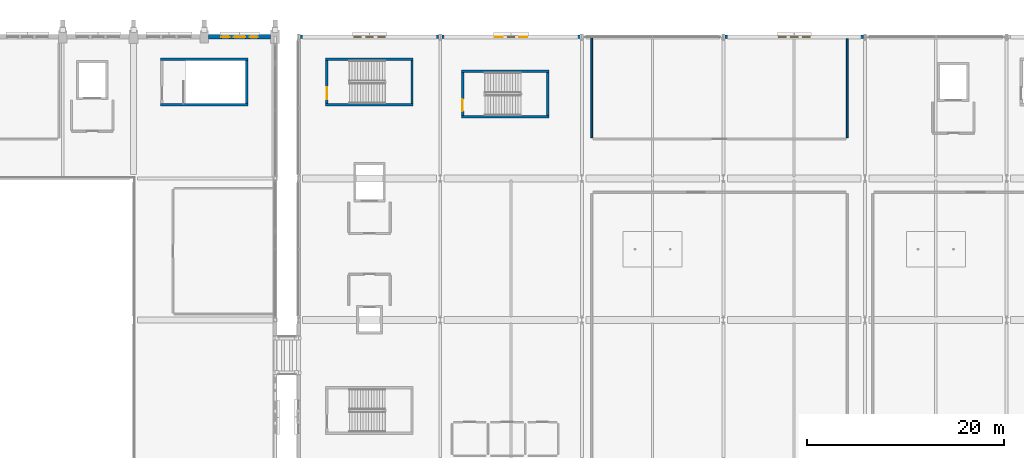
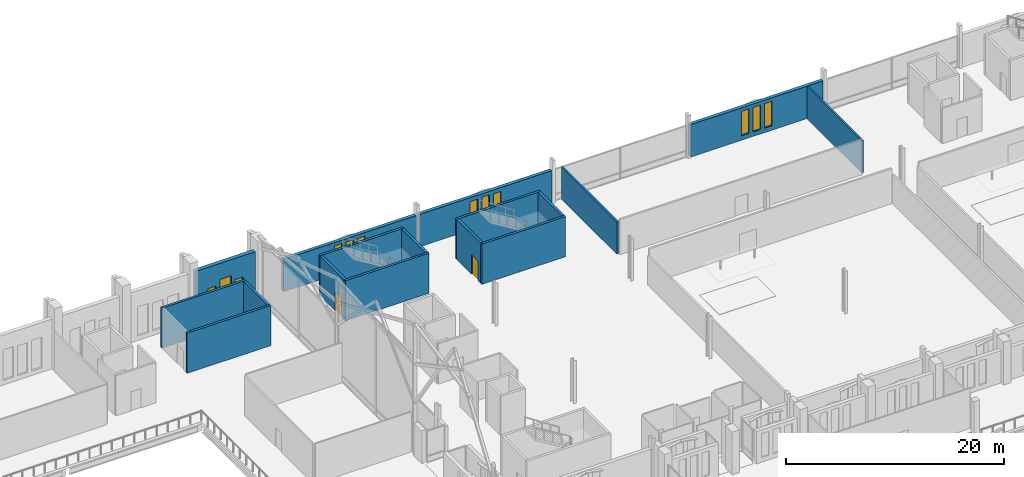
# One storey, part 171 of 220: 17 walls, 12 windows, 2 doors, 14 openings.
"""IFC4 building model written with IfcOpenShell, lengths in metres."""

from ifc_helpers import new_model, si_unit, direction, frame, frame_2d, origin, place, context, subcontext, project, spatial, rectangle, extrude, material, layer, layer_set, type_object, element, fill, save


model = new_model("IFC4")

# Units and contexts
model_context = context("Model", 3, precision=1e-05, world=origin(), true_north=direction((0.0, 1.0)))
body_context = subcontext(model_context, "Body", "Model", "MODEL_VIEW")
ifc_project = project(units=[si_unit("LENGTHUNIT", "METRE"), si_unit("AREAUNIT", "SQUARE_METRE"), si_unit("VOLUMEUNIT", "CUBIC_METRE"), si_unit("PLANEANGLEUNIT", "RADIAN"), si_unit("MASSUNIT", "GRAM", prefix="KILO")], contexts=[model_context])

# Site, building, storey
site_placement = place(None, origin())
site = spatial("IfcSite", under=ifc_project, at=site_placement, CompositionType="ELEMENT")
building_placement = place(site_placement, origin())
building = spatial("IfcBuilding", under=site, at=building_placement, Name="Cendralis Lancet Convention Centre", CompositionType="ELEMENT")
storey_placement = place(building_placement, frame((0.0, 0.0, 5.39990234375)))
storey = spatial("IfcBuildingStorey", under=building, at=storey_placement, Name="L01", CompositionType="ELEMENT", Elevation=5.39990234375)

# Wall, openings, windows
ifc_material_1 = material(Name="Buff sandstone ashlar and Concrete G40 (C40/50)", Category="masonry")
ifc_layer_1 = layer(ifc_material_1, 0.360107421875, Name="Buff sandstone ashlar and Concrete G40 (C40/50)")
ifc_layer_set_1 = layer_set([ifc_layer_1], Name="Buff sandstone ashlar and Concrete G40 (C40/50)")
wall_type_1 = type_object("IfcWallType", Name="ARC-EW-W360", PredefinedType="STANDARD", material=ifc_layer_set_1)
wall_1_placement = place(storey_placement, frame((124.9580078125, 136.800048828125, 0.0), z_axis=(0.0, 0.0, 1.0), x_axis=(1.0, 0.0, 0.0)))
wall_1 = element("IfcWall", 1, at=wall_1_placement, inside=storey, type_object=wall_type_1, Name="L01 V3 Exterior Wall EW-04 #0145", PredefinedType="STANDARD", context=body_context, shape_type="SweptSolid", body=[
    extrude(rectangle(XDim=14.083984375, YDim=0.360107421875, at=frame_2d((7.0419921875, 0.0))), origin(), (0.0, 0.0, 1.0), 3.635009765625),
])
opening_1_placement = place(wall_1_placement, frame((5.422119140625, 0.0, 0.5)))
opening_1 = element("IfcOpeningElement", 2, at=opening_1_placement, cuts=wall_1, Name="Opening WN-07", PredefinedType="OPENING", context=body_context, shape_type="SweptSolid", body=[
    extrude(rectangle(XDim=0.800048828125, YDim=2.75, at=frame_2d((0.39990234375, 1.375))), frame((0.0, 0.18994140625, 0.0), z_axis=(0.0, -1.0, 0.0), x_axis=(1.0, 0.0, 0.0)), (0.0, 0.0, 1.0), 0.380126953125),
])
opening_2_placement = place(wall_1_placement, frame((6.64208984375, 0.0, 0.5)))
opening_2 = element("IfcOpeningElement", 3, at=opening_2_placement, cuts=wall_1, Name="Opening WN-07", PredefinedType="OPENING", context=body_context, shape_type="SweptSolid", body=[
    extrude(rectangle(XDim=0.800048828125, YDim=2.75, at=frame_2d((0.39990234375, 1.375))), frame((0.0, 0.18994140625, 0.0), z_axis=(0.0, -1.0, 0.0), x_axis=(1.0, 0.0, 0.0)), (0.0, 0.0, 1.0), 0.380126953125),
])
opening_3_placement = place(wall_1_placement, frame((7.862060546875, 0.0, 0.5)))
opening_3 = element("IfcOpeningElement", 4, at=opening_3_placement, cuts=wall_1, Name="Opening WN-07", PredefinedType="OPENING", context=body_context, shape_type="SweptSolid", body=[
    extrude(rectangle(XDim=0.800048828125, YDim=2.75, at=frame_2d((0.39990234375, 1.375))), frame((0.0, 0.18994140625, 0.0), z_axis=(0.0, -1.0, 0.0), x_axis=(1.0, 0.0, 0.0)), (0.0, 0.0, 1.0), 0.380126953125),
])
ifc_material_2 = material(Name="Double-glazed low-E solar-control glass", Category="glass")
window_type_1 = type_object("IfcWindowType", Name="ARC-WN-LW07", PartitioningType="SINGLE_PANEL", PredefinedType="WINDOW", material=ifc_material_2)
window_1_placement = place(opening_1_placement, origin())
window_1 = element("IfcWindow", 5, at=window_1_placement, inside=storey, type_object=window_type_1, Name="Gothic Lancet Window WN-07 #0272", OverallHeight=2.75, OverallWidth=0.800048828125, PartitioningType="SINGLE_PANEL", PredefinedType="WINDOW", context=body_context, shape_type="SweptSolid", body=[
    extrude(rectangle(XDim=0.800048828125, YDim=2.75, at=frame_2d((0.39990234375, 1.375))), frame((0.0, 0.030029296875, 0.0), z_axis=(0.0, -1.0, 0.0), x_axis=(1.0, 0.0, 0.0)), (0.0, 0.0, 1.0), 0.06005859375),
])
fill(opening_1, window_1)
window_2_placement = place(opening_2_placement, origin())
window_2 = element("IfcWindow", 6, at=window_2_placement, inside=storey, type_object=window_type_1, Name="Gothic Lancet Window WN-07 #0273", OverallHeight=2.75, OverallWidth=0.800048828125, PartitioningType="SINGLE_PANEL", PredefinedType="WINDOW", context=body_context, shape_type="SweptSolid", body=[
    extrude(rectangle(XDim=0.800048828125, YDim=2.75, at=frame_2d((0.39990234375, 1.375))), frame((0.0, 0.030029296875, 0.0), z_axis=(0.0, -1.0, 0.0), x_axis=(1.0, 0.0, 0.0)), (0.0, 0.0, 1.0), 0.06005859375),
])
fill(opening_2, window_2)
window_3_placement = place(opening_3_placement, origin())
window_3 = element("IfcWindow", 7, at=window_3_placement, inside=storey, type_object=window_type_1, Name="Gothic Lancet Window WN-07 #0274", OverallHeight=2.75, OverallWidth=0.800048828125, PartitioningType="SINGLE_PANEL", PredefinedType="WINDOW", context=body_context, shape_type="SweptSolid", body=[
    extrude(rectangle(XDim=0.800048828125, YDim=2.75, at=frame_2d((0.39990234375, 1.375))), frame((0.0, 0.030029296875, 0.0), z_axis=(0.0, -1.0, 0.0), x_axis=(1.0, 0.0, 0.0)), (0.0, 0.0, 1.0), 0.06005859375),
])
fill(opening_3, window_3)

wall_2_placement = place(storey_placement, frame((139.35791015625, 136.800048828125, 0.0), z_axis=(0.0, 0.0, 1.0), x_axis=(1.0, 0.0, 0.0)))
wall_2 = element("IfcWall", 8, at=wall_2_placement, inside=storey, type_object=wall_type_1, Name="L01 V3 Exterior Wall EW-04 #0146", PredefinedType="STANDARD", context=body_context, shape_type="SweptSolid", body=[
    extrude(rectangle(XDim=14.083984375, YDim=0.360107421875, at=frame_2d((7.0419921875, 0.0))), origin(), (0.0, 0.0, 1.0), 3.635009765625),
])
opening_4_placement = place(wall_2_placement, frame((5.382080078125, 0.0, 0.5)))
opening_4 = element("IfcOpeningElement", 9, at=opening_4_placement, cuts=wall_2, Name="Opening WN-15", PredefinedType="OPENING", context=body_context, shape_type="SweptSolid", body=[
    extrude(rectangle(XDim=0.840087890625, YDim=2.699951171875, at=frame_2d((0.419921875, 1.35009765625))), frame((0.0, 0.18994140625, 0.0), z_axis=(0.0, -1.0, 0.0), x_axis=(1.0, 0.0, 0.0)), (0.0, 0.0, 1.0), 0.380126953125),
])
opening_5_placement = place(wall_2_placement, frame((6.64208984375, 0.0, 0.5)))
opening_5 = element("IfcOpeningElement", 10, at=opening_5_placement, cuts=wall_2, Name="Opening WN-07", PredefinedType="OPENING", context=body_context, shape_type="SweptSolid", body=[
    extrude(rectangle(XDim=0.800048828125, YDim=2.75, at=frame_2d((0.39990234375, 1.375))), frame((0.0, 0.18994140625, 0.0), z_axis=(0.0, -1.0, 0.0), x_axis=(1.0, 0.0, 0.0)), (0.0, 0.0, 1.0), 0.380126953125),
])
opening_6_placement = place(wall_2_placement, frame((7.862060546875, 0.0, 0.5)))
opening_6 = element("IfcOpeningElement", 11, at=opening_6_placement, cuts=wall_2, Name="Opening WN-15", PredefinedType="OPENING", context=body_context, shape_type="SweptSolid", body=[
    extrude(rectangle(XDim=0.840087890625, YDim=2.699951171875, at=frame_2d((0.419921875, 1.35009765625))), frame((0.0, 0.18994140625, 0.0), z_axis=(0.0, -1.0, 0.0), x_axis=(1.0, 0.0, 0.0)), (0.0, 0.0, 1.0), 0.380126953125),
])
window_4_placement = place(opening_5_placement, origin())
window_4 = element("IfcWindow", 12, at=window_4_placement, inside=storey, type_object=window_type_1, Name="Gothic Lancet Window WN-07 #0276", OverallHeight=2.75, OverallWidth=0.800048828125, PartitioningType="SINGLE_PANEL", PredefinedType="WINDOW", context=body_context, shape_type="SweptSolid", body=[
    extrude(rectangle(XDim=0.800048828125, YDim=2.75, at=frame_2d((0.39990234375, 1.375))), frame((0.0, 0.030029296875, 0.0), z_axis=(0.0, -1.0, 0.0), x_axis=(1.0, 0.0, 0.0)), (0.0, 0.0, 1.0), 0.06005859375),
])
fill(opening_5, window_4)
window_type_2 = type_object("IfcWindowType", Name="ARC-WN-LW15", PartitioningType="SINGLE_PANEL", PredefinedType="WINDOW", material=ifc_material_2)
window_5_placement = place(opening_4_placement, origin())
window_5 = element("IfcWindow", 13, at=window_5_placement, inside=storey, type_object=window_type_2, Name="Gothic Lancet Window WN-15 #0275", OverallHeight=2.699951171875, OverallWidth=0.840087890625, PartitioningType="SINGLE_PANEL", PredefinedType="WINDOW", context=body_context, shape_type="SweptSolid", body=[
    extrude(rectangle(XDim=0.840087890625, YDim=2.699951171875, at=frame_2d((0.419921875, 1.35009765625))), frame((0.0, 0.030029296875, 0.0), z_axis=(0.0, -1.0, 0.0), x_axis=(1.0, 0.0, 0.0)), (0.0, 0.0, 1.0), 0.06005859375),
])
fill(opening_4, window_5)
window_6_placement = place(opening_6_placement, origin())
window_6 = element("IfcWindow", 14, at=window_6_placement, inside=storey, type_object=window_type_2, Name="Gothic Lancet Window WN-15 #0277", OverallHeight=2.699951171875, OverallWidth=0.840087890625, PartitioningType="SINGLE_PANEL", PredefinedType="WINDOW", context=body_context, shape_type="SweptSolid", body=[
    extrude(rectangle(XDim=0.840087890625, YDim=2.699951171875, at=frame_2d((0.419921875, 1.35009765625))), frame((0.0, 0.030029296875, 0.0), z_axis=(0.0, -1.0, 0.0), x_axis=(1.0, 0.0, 0.0)), (0.0, 0.0, 1.0), 0.06005859375),
])
fill(opening_6, window_6)

wall_3_placement = place(storey_placement, frame((168.157958984375, 136.800048828125, 0.0), z_axis=(0.0, 0.0, 1.0), x_axis=(1.0, 0.0, 0.0)))
wall_3 = element("IfcWall", 15, at=wall_3_placement, inside=storey, type_object=wall_type_1, Name="L01 V3 Exterior Wall EW-04 #0147", PredefinedType="STANDARD", context=body_context, shape_type="SweptSolid", body=[
    extrude(rectangle(XDim=14.083984375, YDim=0.360107421875, at=frame_2d((7.0419921875, 0.0))), origin(), (0.0, 0.0, 1.0), 3.635009765625),
])
opening_7_placement = place(wall_3_placement, frame((5.422119140625, 0.0, 0.5)))
opening_7 = element("IfcOpeningElement", 16, at=opening_7_placement, cuts=wall_3, Name="Opening WN-07", PredefinedType="OPENING", context=body_context, shape_type="SweptSolid", body=[
    extrude(rectangle(XDim=0.800048828125, YDim=2.75, at=frame_2d((0.39990234375, 1.375))), frame((0.0, 0.18994140625, 0.0), z_axis=(0.0, -1.0, 0.0), x_axis=(1.0, 0.0, 0.0)), (0.0, 0.0, 1.0), 0.380126953125),
])
opening_8_placement = place(wall_3_placement, frame((6.64208984375, 0.0, 0.5)))
opening_8 = element("IfcOpeningElement", 17, at=opening_8_placement, cuts=wall_3, Name="Opening WN-07", PredefinedType="OPENING", context=body_context, shape_type="SweptSolid", body=[
    extrude(rectangle(XDim=0.800048828125, YDim=2.75, at=frame_2d((0.39990234375, 1.375))), frame((0.0, 0.18994140625, 0.0), z_axis=(0.0, -1.0, 0.0), x_axis=(1.0, 0.0, 0.0)), (0.0, 0.0, 1.0), 0.380126953125),
])
opening_9_placement = place(wall_3_placement, frame((7.862060546875, 0.0, 0.5)))
opening_9 = element("IfcOpeningElement", 18, at=opening_9_placement, cuts=wall_3, Name="Opening WN-07", PredefinedType="OPENING", context=body_context, shape_type="SweptSolid", body=[
    extrude(rectangle(XDim=0.800048828125, YDim=2.75, at=frame_2d((0.39990234375, 1.375))), frame((0.0, 0.18994140625, 0.0), z_axis=(0.0, -1.0, 0.0), x_axis=(1.0, 0.0, 0.0)), (0.0, 0.0, 1.0), 0.380126953125),
])
window_7_placement = place(opening_7_placement, origin())
window_7 = element("IfcWindow", 19, at=window_7_placement, inside=storey, type_object=window_type_1, Name="Gothic Lancet Window WN-07 #0278", OverallHeight=2.75, OverallWidth=0.800048828125, PartitioningType="SINGLE_PANEL", PredefinedType="WINDOW", context=body_context, shape_type="SweptSolid", body=[
    extrude(rectangle(XDim=0.800048828125, YDim=2.75, at=frame_2d((0.39990234375, 1.375))), frame((0.0, 0.030029296875, 0.0), z_axis=(0.0, -1.0, 0.0), x_axis=(1.0, 0.0, 0.0)), (0.0, 0.0, 1.0), 0.06005859375),
])
fill(opening_7, window_7)
window_8_placement = place(opening_8_placement, origin())
window_8 = element("IfcWindow", 20, at=window_8_placement, inside=storey, type_object=window_type_1, Name="Gothic Lancet Window WN-07 #0279", OverallHeight=2.75, OverallWidth=0.800048828125, PartitioningType="SINGLE_PANEL", PredefinedType="WINDOW", context=body_context, shape_type="SweptSolid", body=[
    extrude(rectangle(XDim=0.800048828125, YDim=2.75, at=frame_2d((0.39990234375, 1.375))), frame((0.0, 0.030029296875, 0.0), z_axis=(0.0, -1.0, 0.0), x_axis=(1.0, 0.0, 0.0)), (0.0, 0.0, 1.0), 0.06005859375),
])
fill(opening_8, window_8)
window_9_placement = place(opening_9_placement, origin())
window_9 = element("IfcWindow", 21, at=window_9_placement, inside=storey, type_object=window_type_1, Name="Gothic Lancet Window WN-07 #0280", OverallHeight=2.75, OverallWidth=0.800048828125, PartitioningType="SINGLE_PANEL", PredefinedType="WINDOW", context=body_context, shape_type="SweptSolid", body=[
    extrude(rectangle(XDim=0.800048828125, YDim=2.75, at=frame_2d((0.39990234375, 1.375))), frame((0.0, 0.030029296875, 0.0), z_axis=(0.0, -1.0, 0.0), x_axis=(1.0, 0.0, 0.0)), (0.0, 0.0, 1.0), 0.06005859375),
])
fill(opening_9, window_9)

ifc_layer_2 = layer(ifc_material_1, 0.419921875, Name="Buff sandstone ashlar and Concrete G40 (C40/50)")
ifc_layer_set_2 = layer_set([ifc_layer_2], Name="Buff sandstone ashlar and Concrete G40 (C40/50)")
wall_type_2 = type_object("IfcWallType", Name="ARC-EW-W420", PredefinedType="STANDARD", material=ifc_layer_set_2)
wall_4_placement = place(storey_placement, frame((115.633056640625, 136.800048828125, 0.0), z_axis=(0.0, 0.0, 1.0), x_axis=(1.0, 0.0, 0.0)))
wall_4 = element("IfcWall", 22, at=wall_4_placement, inside=storey, type_object=wall_type_2, Name="L01 V1 Exterior Wall EW-01 #0050", PredefinedType="STANDARD", context=body_context, shape_type="SweptSolid", body=[
    extrude(rectangle(XDim=6.308837890625, YDim=0.419921875, at=frame_2d((3.154296875, 0.0))), origin(), (0.0, 0.0, 1.0), 5.585205078125),
])
opening_10_placement = place(wall_4_placement, frame((1.29443359375, 0.0, 0.5)))
opening_10 = element("IfcOpeningElement", 23, at=opening_10_placement, cuts=wall_4, Name="Opening WN-15", PredefinedType="OPENING", context=body_context, shape_type="SweptSolid", body=[
    extrude(rectangle(XDim=0.840087890625, YDim=2.699951171875, at=frame_2d((0.419921875, 1.35009765625))), frame((0.0, 0.219970703125, 0.0), z_axis=(0.0, -1.0, 0.0), x_axis=(1.0, 0.0, 0.0)), (0.0, 0.0, 1.0), 0.43994140625),
])
opening_11_placement = place(wall_4_placement, frame((2.554443359375, 0.0, 0.5)))
opening_11 = element("IfcOpeningElement", 24, at=opening_11_placement, cuts=wall_4, Name="Opening WN-14", PredefinedType="OPENING", context=body_context, shape_type="SweptSolid", body=[
    extrude(rectangle(XDim=1.199951171875, YDim=3.280029296875, at=frame_2d((0.60009765625, 1.64013671875))), frame((0.0, 0.219970703125, 0.0), z_axis=(0.0, -1.0, 0.0), x_axis=(1.0, 0.0, 0.0)), (0.0, 0.0, 1.0), 0.43994140625),
])
opening_12_placement = place(wall_4_placement, frame((4.174560546875, 0.0, 0.5)))
opening_12 = element("IfcOpeningElement", 25, at=opening_12_placement, cuts=wall_4, Name="Opening WN-15", PredefinedType="OPENING", context=body_context, shape_type="SweptSolid", body=[
    extrude(rectangle(XDim=0.840087890625, YDim=2.699951171875, at=frame_2d((0.419921875, 1.35009765625))), frame((0.0, 0.219970703125, 0.0), z_axis=(0.0, -1.0, 0.0), x_axis=(1.0, 0.0, 0.0)), (0.0, 0.0, 1.0), 0.43994140625),
])
window_type_3 = type_object("IfcWindowType", Name="ARC-WN-LW14", PartitioningType="SINGLE_PANEL", PredefinedType="WINDOW", material=ifc_material_2)
window_10_placement = place(opening_11_placement, origin())
window_10 = element("IfcWindow", 26, at=window_10_placement, inside=storey, type_object=window_type_3, Name="Gothic Lancet Window WN-14 #0071", OverallHeight=3.280029296875, OverallWidth=1.199951171875, PartitioningType="SINGLE_PANEL", PredefinedType="WINDOW", context=body_context, shape_type="SweptSolid", body=[
    extrude(rectangle(XDim=1.199951171875, YDim=3.280029296875, at=frame_2d((0.60009765625, 1.64013671875))), frame((0.0, 0.030029296875, 0.0), z_axis=(0.0, -1.0, 0.0), x_axis=(1.0, 0.0, 0.0)), (0.0, 0.0, 1.0), 0.06005859375),
])
fill(opening_11, window_10)
window_11_placement = place(opening_10_placement, origin())
window_11 = element("IfcWindow", 27, at=window_11_placement, inside=storey, type_object=window_type_2, Name="Gothic Lancet Window WN-15 #0070", OverallHeight=2.699951171875, OverallWidth=0.840087890625, PartitioningType="SINGLE_PANEL", PredefinedType="WINDOW", context=body_context, shape_type="SweptSolid", body=[
    extrude(rectangle(XDim=0.840087890625, YDim=2.699951171875, at=frame_2d((0.419921875, 1.35009765625))), frame((0.0, 0.030029296875, 0.0), z_axis=(0.0, -1.0, 0.0), x_axis=(1.0, 0.0, 0.0)), (0.0, 0.0, 1.0), 0.06005859375),
])
fill(opening_10, window_11)
window_12_placement = place(opening_12_placement, origin())
window_12 = element("IfcWindow", 28, at=window_12_placement, inside=storey, type_object=window_type_2, Name="Gothic Lancet Window WN-15 #0072", OverallHeight=2.699951171875, OverallWidth=0.840087890625, PartitioningType="SINGLE_PANEL", PredefinedType="WINDOW", context=body_context, shape_type="SweptSolid", body=[
    extrude(rectangle(XDim=0.840087890625, YDim=2.699951171875, at=frame_2d((0.419921875, 1.35009765625))), frame((0.0, 0.030029296875, 0.0), z_axis=(0.0, -1.0, 0.0), x_axis=(1.0, 0.0, 0.0)), (0.0, 0.0, 1.0), 0.06005859375),
])
fill(opening_12, window_12)

# Walls
ifc_material_3 = material(Name="Acoustic fire-rated gypsum board on steel studs", Category="steel")
ifc_layer_3 = layer(ifc_material_3, 0.179931640625, Name="Acoustic fire-rated gypsum board on steel studs")
ifc_layer_set_3 = layer_set([ifc_layer_3], Name="Acoustic fire-rated gypsum board on steel studs")
wall_type_3 = type_object("IfcWallType", Name="ARC-IW-P180", PredefinedType="PARTITIONING", material=ifc_layer_set_3)
wall_5_placement = place(storey_placement, frame((154.60009765625, 126.5400390625, 0.0), z_axis=(0.0, 0.0, 1.0), x_axis=(0.0, 1.0, 0.0)))
element("IfcWall", 29, at=wall_5_placement, inside=storey, type_object=wall_type_3, Name="L01 Interior Partition IW-02 #0166", PredefinedType="PARTITIONING", context=body_context, shape_type="SweptSolid", body=[
    extrude(rectangle(XDim=10.179931640625, YDim=0.179931640625, at=frame_2d((5.08984375, 0.0))), origin(), (0.0, 0.0, 1.0), 3.635009765625),
])
wall_6_placement = place(storey_placement, frame((180.60009765625, 126.5400390625, 0.0), z_axis=(0.0, 0.0, 1.0), x_axis=(0.0, 1.0, 0.0)))
element("IfcWall", 30, at=wall_6_placement, inside=storey, type_object=wall_type_3, Name="L01 Interior Partition IW-02 #0167", PredefinedType="PARTITIONING", context=body_context, shape_type="SweptSolid", body=[
    extrude(rectangle(XDim=10.070068359375, YDim=0.179931640625, at=frame_2d((5.03515625, 0.0))), origin(), (0.0, 0.0, 1.0), 3.635009765625),
])
ifc_material_4 = material(Name="Concrete G40 (C40/50)", Category="concrete")
ifc_layer_4 = layer(ifc_material_4, 0.25, Name="Concrete G40 (C40/50)")
ifc_layer_set_4 = layer_set([ifc_layer_4], Name="Concrete G40 (C40/50)")
wall_type_4 = type_object("IfcWallType", Name="STR-SW-CW250", PredefinedType="SHEAR", material=ifc_layer_set_4)
wall_7_placement = place(storey_placement, frame((119.52490234375, 130.0, 0.0), z_axis=(0.0, 0.0, 1.0), x_axis=(0.0, 1.0, 0.0)))
element("IfcWall", 31, at=wall_7_placement, inside=storey, type_object=wall_type_4, Name="L01 Stair Core ST-04 East Shear Wall", PredefinedType="SHEAR", context=body_context, shape_type="SweptSolid", body=[
    extrude(rectangle(XDim=4.3798828125, YDim=0.25, at=frame_2d((2.18994140625, 0.0))), origin(), (0.0, 0.0, 1.0), 4.5),
])
for number, where, z_axis, x_axis, name in (
    (32, (110.75, 129.875, 0.0), (0.0, 0.0, 1.0), (1.0, 0.0, 0.0), "L01 Stair Core ST-04 South Shear Wall"),
    (33, (110.75, 134.5048828125, 0.0), (0.0, 0.0, 1.0), (1.0, 0.0, 0.0), "L01 Stair Core ST-04 North Shear Wall"),
):
    element("IfcWall", number, at=place(storey_placement, frame(where, z_axis=z_axis, x_axis=x_axis)), inside=storey, type_object=wall_type_4, Name=name, PredefinedType="SHEAR", context=body_context, shape_type="SweptSolid", body=[
        extrude(rectangle(XDim=8.89990234375, YDim=0.25, at=frame_2d((4.449951171875, 0.0))), origin(), (0.0, 0.0, 1.0), 4.5),
    ])

# Wall, opening, door
wall_8_placement = place(storey_placement, frame((127.675048828125, 130.0, 0.0), z_axis=(0.0, 0.0, 1.0), x_axis=(0.0, 1.0, 0.0)))
wall_8 = element("IfcWall", 34, at=wall_8_placement, inside=storey, type_object=wall_type_4, Name="L01 Stair Core ST-05 West Shear Wall", PredefinedType="SHEAR", context=body_context, shape_type="SweptSolid", body=[
    extrude(rectangle(XDim=4.3798828125, YDim=0.25, at=frame_2d((2.18994140625, 0.0))), origin(), (0.0, 0.0, 1.0), 4.5),
])
opening_13_placement = place(wall_8_placement, frame((0.449951171875, 0.0, 0.0)))
opening_13 = element("IfcOpeningElement", 35, at=opening_13_placement, cuts=wall_8, Name="Opening SD-12", PredefinedType="OPENING", context=body_context, shape_type="SweptSolid", body=[
    extrude(rectangle(XDim=1.199951171875, YDim=2.14990234375, at=frame_2d((0.60009765625, 1.074951171875))), frame((0.0, 0.135009765625, 0.0), z_axis=(0.0, -1.0, 0.0), x_axis=(1.0, 0.0, 0.0)), (0.0, 0.0, 1.0), 0.27001953125),
])
ifc_material_5 = material(Name="Steel S355", Category="steel")
door_type = type_object("IfcDoorType", Name="ARC-DR-ST12", OperationType="NOTDEFINED", PredefinedType="DOOR", material=ifc_material_5)
door_1_placement = place(opening_13_placement, frame((1.199951171875, 0.0, 0.0), z_axis=(0.0, 0.0, 1.0), x_axis=(-1.0, 0.0, 0.0)))
door_1 = element("IfcDoor", 36, at=door_1_placement, inside=storey, type_object=door_type, Name="L01-D072 L01 Exit Stair ST-05 Fire Door", OperationType="SINGLE_SWING_LEFT", OverallHeight=2.14990234375, OverallWidth=1.199951171875, PredefinedType="DOOR", context=body_context, shape_type="SweptSolid", body=[
    extrude(rectangle(XDim=1.199951171875, YDim=2.14990234375, at=frame_2d((0.60009765625, 1.074951171875))), frame((0.0, 0.02490234375, 0.0), z_axis=(0.0, -1.0, 0.0), x_axis=(1.0, 0.0, 0.0)), (0.0, 0.0, 1.0), 0.050048828125),
])
fill(opening_13, door_1)

# Walls
wall_9_placement = place(storey_placement, frame((136.324951171875, 130.0, 0.0), z_axis=(0.0, 0.0, 1.0), x_axis=(0.0, 1.0, 0.0)))
element("IfcWall", 37, at=wall_9_placement, inside=storey, type_object=wall_type_4, Name="L01 Stair Core ST-05 East Shear Wall", PredefinedType="SHEAR", context=body_context, shape_type="SweptSolid", body=[
    extrude(rectangle(XDim=4.3798828125, YDim=0.25, at=frame_2d((2.18994140625, 0.0))), origin(), (0.0, 0.0, 1.0), 4.5),
])
for number, where, z_axis, x_axis, name in (
    (38, (127.550048828125, 129.875, 0.0), (0.0, 0.0, 1.0), (1.0, 0.0, 0.0), "L01 Stair Core ST-05 South Shear Wall"),
    (39, (127.550048828125, 134.5048828125, 0.0), (0.0, 0.0, 1.0), (1.0, 0.0, 0.0), "L01 Stair Core ST-05 North Shear Wall"),
):
    element("IfcWall", number, at=place(storey_placement, frame(where, z_axis=z_axis, x_axis=x_axis)), inside=storey, type_object=wall_type_4, Name=name, PredefinedType="SHEAR", context=body_context, shape_type="SweptSolid", body=[
        extrude(rectangle(XDim=8.89990234375, YDim=0.25, at=frame_2d((4.449951171875, 0.0))), origin(), (0.0, 0.0, 1.0), 4.5),
    ])

# Wall, opening, door
wall_10_placement = place(storey_placement, frame((141.47509765625, 128.800048828125, 0.0), z_axis=(0.0, 0.0, 1.0), x_axis=(0.0, 1.0, 0.0)))
wall_10 = element("IfcWall", 40, at=wall_10_placement, inside=storey, type_object=wall_type_4, Name="L01 Stair Core ST-19 West Shear Wall", PredefinedType="SHEAR", context=body_context, shape_type="SweptSolid", body=[
    extrude(rectangle(XDim=4.3798828125, YDim=0.25, at=frame_2d((2.18994140625, 0.0))), origin(), (0.0, 0.0, 1.0), 4.5),
])
opening_14_placement = place(wall_10_placement, frame((0.449951171875, 0.0, 0.0)))
opening_14 = element("IfcOpeningElement", 41, at=opening_14_placement, cuts=wall_10, Name="Opening SD-12", PredefinedType="OPENING", context=body_context, shape_type="SweptSolid", body=[
    extrude(rectangle(XDim=1.199951171875, YDim=2.14990234375, at=frame_2d((0.60009765625, 1.074951171875))), frame((0.0, 0.135009765625, 0.0), z_axis=(0.0, -1.0, 0.0), x_axis=(1.0, 0.0, 0.0)), (0.0, 0.0, 1.0), 0.27001953125),
])
door_2_placement = place(opening_14_placement, frame((1.199951171875, 0.0, 0.0), z_axis=(0.0, 0.0, 1.0), x_axis=(-1.0, 0.0, 0.0)))
door_2 = element("IfcDoor", 42, at=door_2_placement, inside=storey, type_object=door_type, Name="L01-D086 L01 Exit Stair ST-19 Fire Door", OperationType="SINGLE_SWING_RIGHT", OverallHeight=2.14990234375, OverallWidth=1.199951171875, PredefinedType="DOOR", context=body_context, shape_type="SweptSolid", body=[
    extrude(rectangle(XDim=1.199951171875, YDim=2.14990234375, at=frame_2d((0.60009765625, 1.074951171875))), frame((0.0, 0.02490234375, 0.0), z_axis=(0.0, -1.0, 0.0), x_axis=(1.0, 0.0, 0.0)), (0.0, 0.0, 1.0), 0.050048828125),
])
fill(opening_14, door_2)

# Walls
wall_11_placement = place(storey_placement, frame((150.125, 128.800048828125, 0.0), z_axis=(0.0, 0.0, 1.0), x_axis=(0.0, 1.0, 0.0)))
element("IfcWall", 43, at=wall_11_placement, inside=storey, type_object=wall_type_4, Name="L01 Stair Core ST-19 East Shear Wall", PredefinedType="SHEAR", context=body_context, shape_type="SweptSolid", body=[
    extrude(rectangle(XDim=4.3798828125, YDim=0.25, at=frame_2d((2.18994140625, 0.0))), origin(), (0.0, 0.0, 1.0), 4.5),
])
for number, where, z_axis, x_axis, name in (
    (44, (141.35009765625, 128.675048828125, 0.0), (0.0, 0.0, 1.0), (1.0, 0.0, 0.0), "L01 Stair Core ST-19 South Shear Wall"),
    (45, (141.35009765625, 133.304931640625, 0.0), (0.0, 0.0, 1.0), (1.0, 0.0, 0.0), "L01 Stair Core ST-19 North Shear Wall"),
):
    element("IfcWall", number, at=place(storey_placement, frame(where, z_axis=z_axis, x_axis=x_axis)), inside=storey, type_object=wall_type_4, Name=name, PredefinedType="SHEAR", context=body_context, shape_type="SweptSolid", body=[
        extrude(rectangle(XDim=8.89990234375, YDim=0.25, at=frame_2d((4.449951171875, 0.0))), origin(), (0.0, 0.0, 1.0), 4.5),
    ])

save(model, "model.ifc")
